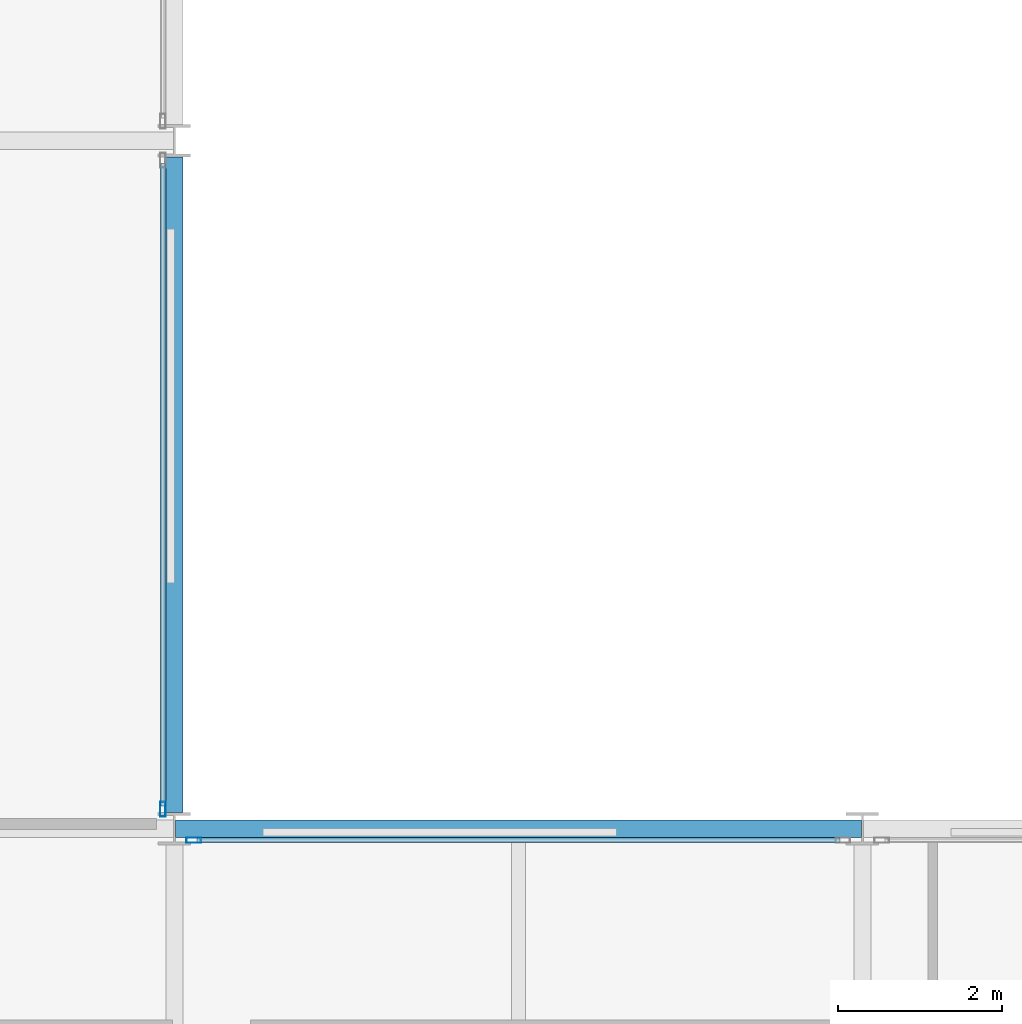
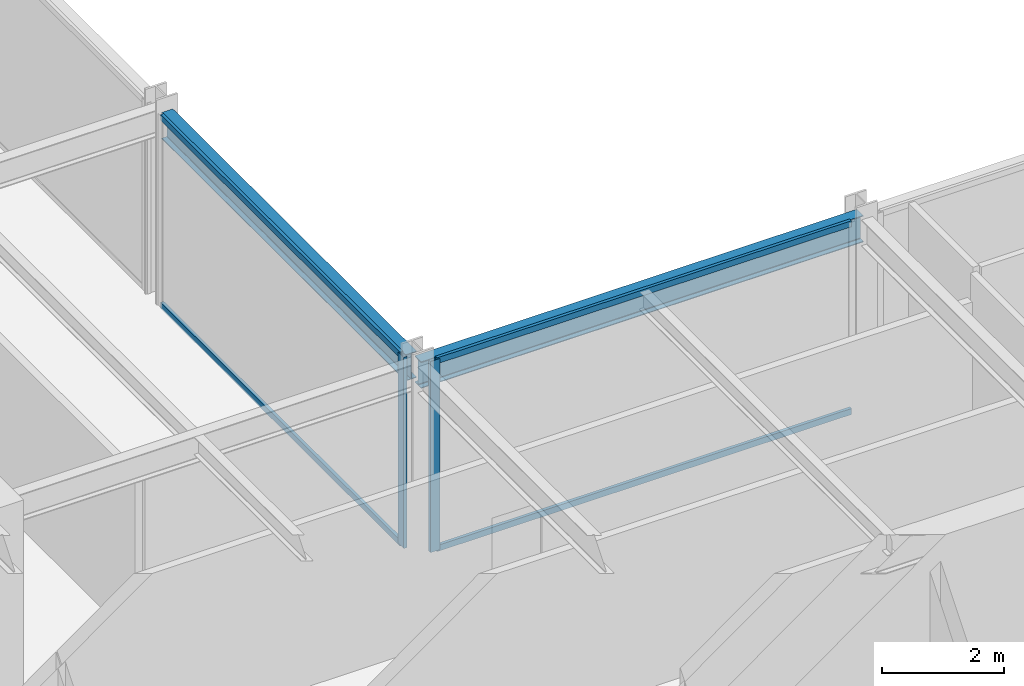
# One storey, part 15 of 38: 6 members, 2 beams, 2 elements without a shape of their own.
"""IFC4 building model written with IfcOpenShell, lengths in metres."""

from ifc_helpers import new_model, si_unit, direction, frame, origin, origin_2d, place, context, subcontext, project, spatial, hollow_rectangle, i_section, extrude, material, layer, layer_set, material_profile, profile_set, type_object, element, aggregate, save


model = new_model("IFC4")

# Units and contexts
model_context = context("Model", 3, precision=1e-05, world=origin(), true_north=direction((0.0, 1.0)))
body_context = subcontext(model_context, "Body", "Model", "MODEL_VIEW")
ifc_project = project(units=[si_unit("LENGTHUNIT", "METRE"), si_unit("AREAUNIT", "SQUARE_METRE"), si_unit("VOLUMEUNIT", "CUBIC_METRE"), si_unit("PLANEANGLEUNIT", "RADIAN"), si_unit("MASSUNIT", "GRAM", prefix="KILO")], contexts=[model_context])

# Site, building, storey
site_placement = place(None, origin())
site = spatial("IfcSite", under=ifc_project, at=site_placement, CompositionType="ELEMENT")
building_placement = place(site_placement, origin())
building = spatial("IfcBuilding", under=site, at=building_placement, Name="Nerrivon Quay Data Exchange", CompositionType="ELEMENT")
storey_placement = place(building_placement, frame((0.0, 0.0, 84.39990234375)))
storey = spatial("IfcBuildingStorey", under=building, at=storey_placement, Name="L19", CompositionType="ELEMENT", Elevation=84.39990234375)

# Beams
ifc_material_1 = material(Name="Steel Grade 350", Category="steel")
ifc_material_profile_1 = material_profile(ifc_material_1, i_section(OverallWidth=0.208984375, OverallDepth=0.532958984375, WebThickness=0.01025390625, FlangeThickness=0.015625, FilletRadius=0.013916015625, at=origin_2d()), Name="530UB92.4")
ifc_profile_set_1 = profile_set([ifc_material_profile_1], Name="Steel Grade 350")
beam_type_1 = type_object("IfcBeamType", Name="BM-G3-530UB92", PredefinedType="BEAM", material=ifc_profile_set_1)
beam_1_placement = place(storey_placement, frame((25.21240234375, 25.199951171875, 3.55859375), z_axis=(1.0, 0.0, 0.0), x_axis=(0.0, 1.0, 0.0)))
element("IfcBeam", 1, at=beam_1_placement, inside=storey, type_object=beam_type_1, Name="L19 EW Girder Y=25.2 (25.2..33.6)", PredefinedType="BEAM", context=body_context, shape_type="SweptSolid", body=[
    extrude(i_section(OverallWidth=0.208984375, OverallDepth=0.532958984375, WebThickness=0.01025390625, FlangeThickness=0.015625, FilletRadius=0.013916015625, at=origin_2d()), origin(), (0.0, 0.0, 1.0), 8.375),
])
ifc_material_profile_2 = material_profile(ifc_material_1, i_section(OverallWidth=0.208984375, OverallDepth=0.528076171875, WebThickness=0.009521484375, FlangeThickness=0.01318359375, FilletRadius=0.013916015625, at=origin_2d()), Name="530UB82.0")
ifc_profile_set_2 = profile_set([ifc_material_profile_2], Name="Steel Grade 350")
beam_type_2 = type_object("IfcBeamType", Name="BM-G4-530UB82", PredefinedType="BEAM", material=ifc_profile_set_2)
beam_2_placement = place(storey_placement, frame((25.199951171875, 25.39990234375, 3.56103515625), z_axis=(0.0, 1.0, 0.0), x_axis=(-1.0, 0.0, 0.0)))
element("IfcBeam", 2, at=beam_2_placement, inside=storey, type_object=beam_type_2, Name="L19 NS Girder X=25.2 (25.2..33.6)", PredefinedType="BEAM", context=body_context, shape_type="SweptSolid", body=[
    extrude(i_section(OverallWidth=0.208984375, OverallDepth=0.528076171875, WebThickness=0.009521484375, FlangeThickness=0.01318359375, FilletRadius=0.013916015625, at=origin_2d()), origin(), (0.0, 0.0, 1.0), 8.0),
])

# Curtain wall, member
ifc_material_2 = material(Name="Anodised aluminium 6063-T6", Category="aluminium")
ifc_layer = layer(ifc_material_2, 0.2099609375)
ifc_layer_set = layer_set([ifc_layer], Name="Anodised aluminium 6063-T6")
curtain_wall_type = type_object("IfcCurtainWallType", Name="CW-SYS-02", PredefinedType="NOTDEFINED", material=ifc_layer_set)
curtain_wall_1_placement = place(storey_placement, origin())
curtain_wall_1 = element("IfcCurtainWall", 3, at=curtain_wall_1_placement, inside=storey, type_object=curtain_wall_type, Name="L19 Unitised Curtain Wall 31", PredefinedType="NOTDEFINED")
ifc_material_profile_3 = material_profile(ifc_material_2, hollow_rectangle(XDim=0.06494140625, YDim=0.179931640625, WallThickness=0.00341796875, at=origin_2d()), Name="ALU-MULL-180x65")
ifc_profile_set_3 = profile_set([ifc_material_profile_3], Name="Anodised aluminium 6063-T6")
member_type_1 = type_object("IfcMemberType", Name="CWM-180x65", PredefinedType="MULLION", material=ifc_profile_set_3)
member_1_placement = place(storey_placement, frame((25.06005859375, 25.4375, 0.0), z_axis=(0.0, 0.0, 1.0), x_axis=(1.0, 0.0, 0.0)))
member_1 = element("IfcMember", 4, at=member_1_placement, type_object=member_type_1, Name="CW02 mullion 2", PredefinedType="MULLION", context=body_context, shape_type="SweptSolid", body=[
    extrude(hollow_rectangle(XDim=0.06494140625, YDim=0.179931640625, WallThickness=0.00341796875, at=origin_2d()), origin(), (0.0, 0.0, 1.0), 3.8251953125),
])

curtain_wall_2_placement = place(storey_placement, origin())
curtain_wall_2 = element("IfcCurtainWall", 5, at=curtain_wall_2_placement, inside=storey, type_object=curtain_wall_type, Name="L19 Unitised Curtain Wall 32", PredefinedType="NOTDEFINED")
member_2_placement = place(storey_placement, frame((25.4375, 25.06005859375, 0.0), z_axis=(0.0, 0.0, 1.0), x_axis=(0.0, 1.0, 0.0)))
member_2 = element("IfcMember", 6, at=member_2_placement, type_object=member_type_1, Name="CW02 mullion 1", PredefinedType="MULLION", context=body_context, shape_type="SweptSolid", body=[
    extrude(hollow_rectangle(XDim=0.06494140625, YDim=0.179931640625, WallThickness=0.00341796875, at=origin_2d()), origin(), (0.0, 0.0, 1.0), 3.8251953125),
])

# Member
ifc_material_profile_4 = material_profile(ifc_material_2, hollow_rectangle(XDim=0.06005859375, YDim=0.1201171875, WallThickness=0.003173828125, at=origin_2d()), Name="ALU-TRAN-120x60")
ifc_profile_set_4 = profile_set([ifc_material_profile_4], Name="Anodised aluminium 6063-T6")
member_type_2 = type_object("IfcMemberType", Name="CWT-120x60", PredefinedType="USERDEFINED", material=ifc_profile_set_4)
member_3_placement = place(storey_placement, frame((25.06005859375, 33.324951171875, 0.03271484375), z_axis=(0.0, -1.0, 0.0), x_axis=(1.0, 0.0, 0.0)))
member_3 = element("IfcMember", 7, at=member_3_placement, type_object=member_type_2, Name="CW02 transom 1.1", ObjectType="TRANSOM", PredefinedType="USERDEFINED", context=body_context, shape_type="SweptSolid", body=[
    extrude(hollow_rectangle(XDim=0.06005859375, YDim=0.1201171875, WallThickness=0.003173828125, at=origin_2d()), origin(), (0.0, 0.0, 1.0), 7.849853515625),
])

member_4_placement = place(storey_placement, frame((25.06005859375, 33.324951171875, 3.79248046875), z_axis=(0.0, -1.0, 0.0), x_axis=(1.0, 0.0, 0.0)))
member_4 = element("IfcMember", 8, at=member_4_placement, type_object=member_type_2, Name="CW02 transom 1.2", ObjectType="TRANSOM", PredefinedType="USERDEFINED", context=body_context, shape_type="SweptSolid", body=[
    extrude(hollow_rectangle(XDim=0.06005859375, YDim=0.1201171875, WallThickness=0.003173828125, at=origin_2d()), origin(), (0.0, 0.0, 1.0), 7.849853515625),
])

aggregate(curtain_wall_1, [member_1, member_3, member_4])

member_5_placement = place(storey_placement, frame((25.47509765625, 25.06005859375, 0.03271484375), z_axis=(1.0, 0.0, 0.0), x_axis=(0.0, 1.0, 0.0)))
member_5 = element("IfcMember", 9, at=member_5_placement, type_object=member_type_2, Name="CW02 transom 1.1", ObjectType="TRANSOM", PredefinedType="USERDEFINED", context=body_context, shape_type="SweptSolid", body=[
    extrude(hollow_rectangle(XDim=0.06005859375, YDim=0.1201171875, WallThickness=0.003173828125, at=origin_2d()), origin(), (0.0, 0.0, 1.0), 7.849853515625),
])

member_6_placement = place(storey_placement, frame((25.47509765625, 25.06005859375, 3.79248046875), z_axis=(1.0, 0.0, 0.0), x_axis=(0.0, 1.0, 0.0)))
member_6 = element("IfcMember", 10, at=member_6_placement, type_object=member_type_2, Name="CW02 transom 1.2", ObjectType="TRANSOM", PredefinedType="USERDEFINED", context=body_context, shape_type="SweptSolid", body=[
    extrude(hollow_rectangle(XDim=0.06005859375, YDim=0.1201171875, WallThickness=0.003173828125, at=origin_2d()), origin(), (0.0, 0.0, 1.0), 7.849853515625),
])

aggregate(curtain_wall_2, [member_2, member_5, member_6])

save(model, "model.ifc")
